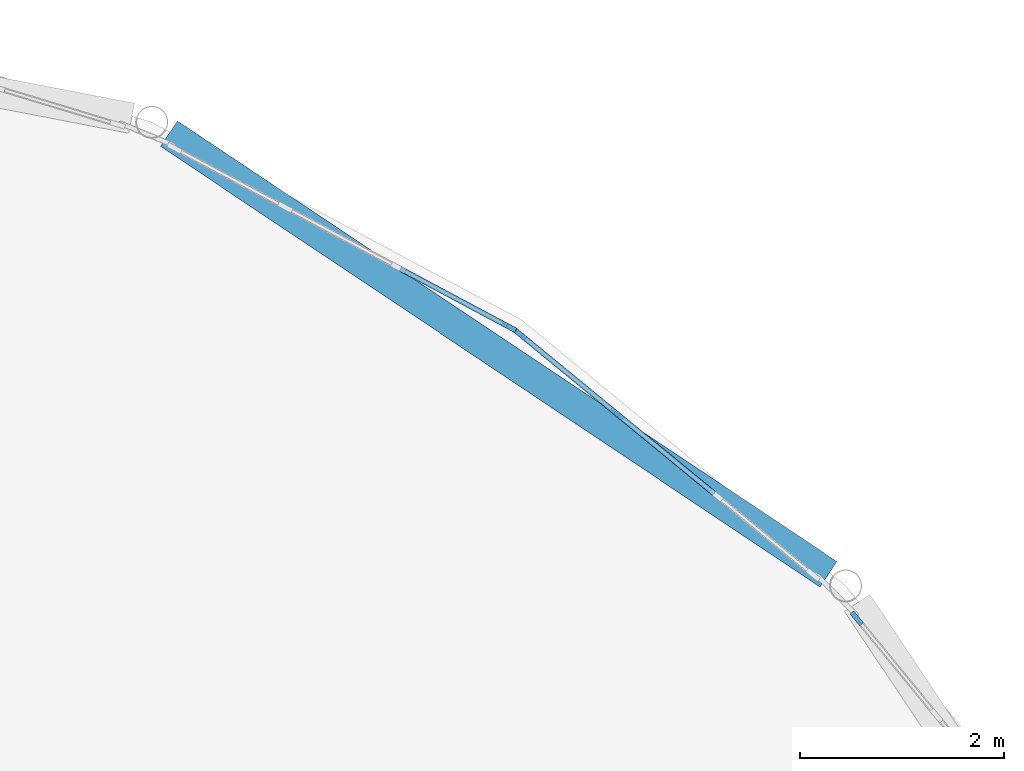
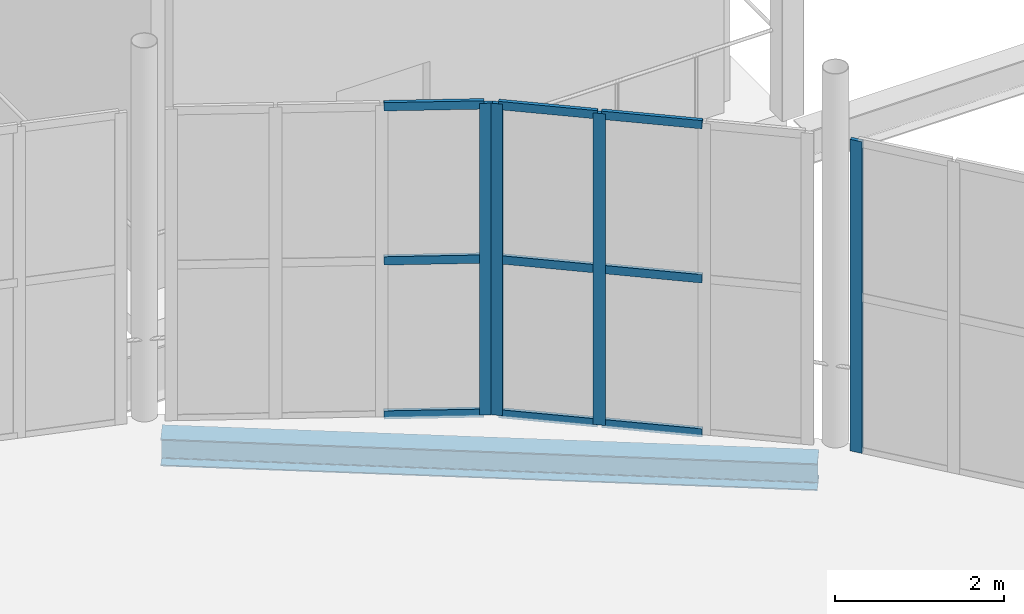
# One storey, part 68 of 112: 13 members, 1 beam, 3 elements without a shape of their own.
"""IFC4 building model written with IfcOpenShell, lengths in metres."""

from ifc_helpers import new_model, si_unit, direction, frame, origin, origin_2d, place, context, subcontext, project, spatial, rectangle, i_section, extrude, material, layer, layer_set, material_profile, profile_set, type_object, element, aggregate, save


model = new_model("IFC4")

# Units and contexts
model_context = context("Model", 3, precision=1e-05, world=origin(), true_north=direction((0.0, 1.0)))
body_context = subcontext(model_context, "Body", "Model", "MODEL_VIEW")
ifc_project = project(units=[si_unit("LENGTHUNIT", "METRE"), si_unit("AREAUNIT", "SQUARE_METRE"), si_unit("VOLUMEUNIT", "CUBIC_METRE"), si_unit("PLANEANGLEUNIT", "RADIAN"), si_unit("MASSUNIT", "GRAM", prefix="KILO")], contexts=[model_context])

# Site, building, storey
site_placement = place(None, origin())
site = spatial("IfcSite", under=ifc_project, at=site_placement, CompositionType="ELEMENT")
building_placement = place(site_placement, origin())
building = spatial("IfcBuilding", under=site, at=building_placement, Name="Yeouljin Market Hall", CompositionType="ELEMENT")
storey_placement = place(building_placement, frame((0.0, 0.0, 6.0)))
storey = spatial("IfcBuildingStorey", under=building, at=storey_placement, Name="L01", CompositionType="ELEMENT", Elevation=6.0)

# Beam
ifc_material_1 = material(Name="Steel SM355", Category="steel")
ifc_material_profile_1 = material_profile(ifc_material_1, i_section(OverallWidth=0.300048828125, OverallDepth=0.389892578125, WebThickness=0.010009765625, FlangeThickness=0.01611328125, FilletRadius=0.01806640625, at=origin_2d()), Name="H-390x300x10x16")
ifc_profile_set_1 = profile_set([ifc_material_profile_1], Name="Steel SM355")
beam_type = type_object("IfcBeamType", Name="Beam_H-390x300x10x16", PredefinedType="BEAM", material=ifc_profile_set_1)
beam_placement = place(storey_placement, frame((155.68017578125, 71.962158203125, -0.43994140625), z_axis=(-0.831466218431, 0.555575312274, 0.0), x_axis=(-0.555575312274, -0.831466218431, 0.0)))
element("IfcBeam", 1, at=beam_placement, inside=storey, type_object=beam_type, Name="Apse ring beam L01 256", PredefinedType="BEAM", context=body_context, shape_type="SweptSolid", body=[
    extrude(i_section(OverallWidth=0.300048828125, OverallDepth=0.389892578125, WebThickness=0.010009765625, FlangeThickness=0.01611328125, FilletRadius=0.01806640625, at=origin_2d()), origin(), (0.0, 0.0, 1.0), 7.787353515625),
])

# Curtain wall, member
ifc_material_2 = material(Name="Thermally Broken Aluminium", Category="aluminium")
ifc_layer = layer(ifc_material_2, 0.179931640625)
ifc_layer_set = layer_set([ifc_layer], Name="Thermally Broken Aluminium")
curtain_wall_type = type_object("IfcCurtainWallType", Name="CW_ApseCurved_System", PredefinedType="USERDEFINED", material=ifc_layer_set)
curtain_wall_1_placement = place(storey_placement, origin())
curtain_wall_1 = element("IfcCurtainWall", 2, at=curtain_wall_1_placement, inside=storey, type_object=curtain_wall_type, Name="Curtain wall CW-AP-EL01-12", ObjectType="CURTAIN WALL", PredefinedType="USERDEFINED")
ifc_material_3 = material(Name="Thermally Broken Aluminium", Category="aluminium")
ifc_material_profile_2 = material_profile(ifc_material_3, rectangle(XDim=0.048095703125, YDim=0.14990234375, at=origin_2d()), Name="CW-MULL-48x150")
ifc_profile_set_2 = profile_set([ifc_material_profile_2], Name="Thermally Broken Aluminium")
member_type_1 = type_object("IfcMemberType", Name="CWMullion_48x150", PredefinedType="MULLION", material=ifc_profile_set_2)
member_1_placement = place(storey_placement, frame((155.957275390625, 71.529541015625, 0.0), z_axis=(0.0, 0.0, 1.0), x_axis=(0.773017717982, 0.634384432096, 0.0)))
member_1 = element("IfcMember", 3, at=member_1_placement, type_object=member_type_1, Name="CW-03 mullion 1", PredefinedType="MULLION", context=body_context, shape_type="SweptSolid", body=[
    extrude(rectangle(XDim=0.048095703125, YDim=0.14990234375, at=origin_2d()), origin(), (0.0, 0.0, 1.0), 4.5),
])
aggregate(curtain_wall_1, [member_1])

# Curtain wall, members
curtain_wall_2_placement = place(storey_placement, origin())
curtain_wall_2 = element("IfcCurtainWall", 4, at=curtain_wall_2_placement, inside=storey, type_object=curtain_wall_type, Name="Curtain wall CW-AP-EL01-13", ObjectType="CURTAIN WALL", PredefinedType="USERDEFINED")
member_2_placement = place(storey_placement, frame((152.649658203125, 74.320556640625, 0.0), z_axis=(0.0, 0.0, 1.0), x_axis=(0.634384432096, 0.773017717982, 0.0)))
member_2 = element("IfcMember", 5, at=member_2_placement, type_object=member_type_1, Name="CW-03 mullion 1", PredefinedType="MULLION", context=body_context, shape_type="SweptSolid", body=[
    extrude(rectangle(XDim=0.048095703125, YDim=0.14990234375, at=origin_2d()), origin(), (0.0, 0.0, 1.0), 4.5),
])
member_3_placement = place(storey_placement, frame((153.603515625, 73.537841796875, 0.0), z_axis=(0.0, 0.0, 1.0), x_axis=(0.634384432096, 0.773017717982, 0.0)))
member_3 = element("IfcMember", 6, at=member_3_placement, type_object=member_type_1, Name="CW-03 mullion 2", PredefinedType="MULLION", context=body_context, shape_type="SweptSolid", body=[
    extrude(rectangle(XDim=0.048095703125, YDim=0.14990234375, at=origin_2d()), origin(), (0.0, 0.0, 1.0), 4.5),
])

# Curtain wall, member
curtain_wall_3_placement = place(storey_placement, origin())
curtain_wall_3 = element("IfcCurtainWall", 7, at=curtain_wall_3_placement, inside=storey, type_object=curtain_wall_type, Name="Curtain wall CW-AP-EL01-14", ObjectType="CURTAIN WALL", PredefinedType="USERDEFINED")
member_4_placement = place(storey_placement, frame((152.5439453125, 74.391357421875, 0.0), z_axis=(0.0, 0.0, 1.0), x_axis=(0.471377626598, 0.881931478712, 0.0)))
member_4 = element("IfcMember", 8, at=member_4_placement, type_object=member_type_1, Name="CW-03 mullion 4", PredefinedType="MULLION", context=body_context, shape_type="SweptSolid", body=[
    extrude(rectangle(XDim=0.048095703125, YDim=0.14990234375, at=origin_2d()), origin(), (0.0, 0.0, 1.0), 4.5),
])

# Member
ifc_material_4 = material(Name="Thermally Broken Aluminium", Category="aluminium")
ifc_material_profile_3 = material_profile(ifc_material_4, rectangle(XDim=0.048095703125, YDim=0.1201171875, at=origin_2d()), Name="CW-TRAN-48x120")
ifc_profile_set_3 = profile_set([ifc_material_profile_3], Name="Thermally Broken Aluminium")
member_type_2 = type_object("IfcMemberType", Name="CWTransom_48x120", PredefinedType="USERDEFINED", material=ifc_profile_set_3)
member_5_placement = place(storey_placement, frame((152.668212890625, 74.30517578125, 0.02392578125), z_axis=(0.773075959133, -0.634313456748, 0.0), x_axis=(0.634313456748, 0.773075959133, 0.0)))
member_5 = element("IfcMember", 9, at=member_5_placement, type_object=member_type_2, Name="CW-03 transom 1.1", ObjectType="TRANSOM", PredefinedType="USERDEFINED", context=body_context, shape_type="SweptSolid", body=[
    extrude(rectangle(XDim=0.048095703125, YDim=0.1201171875, at=origin_2d()), origin(), (0.0, 0.0, 1.0), 1.185791015625),
])

member_6_placement = place(storey_placement, frame((152.668212890625, 74.30517578125, 2.25), z_axis=(0.773075959133, -0.634313456748, 0.0), x_axis=(0.634313456748, 0.773075959133, 0.0)))
member_6 = element("IfcMember", 10, at=member_6_placement, type_object=member_type_2, Name="CW-03 transom 1.2", ObjectType="TRANSOM", PredefinedType="USERDEFINED", context=body_context, shape_type="SweptSolid", body=[
    extrude(rectangle(XDim=0.048095703125, YDim=0.1201171875, at=origin_2d()), origin(), (0.0, 0.0, 1.0), 1.185791015625),
])

member_7_placement = place(storey_placement, frame((152.668212890625, 74.30517578125, 4.47607421875), z_axis=(0.773075959133, -0.634313456748, 0.0), x_axis=(0.634313456748, 0.773075959133, 0.0)))
member_7 = element("IfcMember", 11, at=member_7_placement, type_object=member_type_2, Name="CW-03 transom 1.3", ObjectType="TRANSOM", PredefinedType="USERDEFINED", context=body_context, shape_type="SweptSolid", body=[
    extrude(rectangle(XDim=0.048095703125, YDim=0.1201171875, at=origin_2d()), origin(), (0.0, 0.0, 1.0), 1.185791015625),
])

member_8_placement = place(storey_placement, frame((153.6220703125, 73.5224609375, 0.02392578125), z_axis=(0.773030225846, -0.634369190557, 0.0), x_axis=(0.634369190557, 0.773030225846, 0.0)))
member_8 = element("IfcMember", 12, at=member_8_placement, type_object=member_type_2, Name="CW-03 transom 2.1", ObjectType="TRANSOM", PredefinedType="USERDEFINED", context=body_context, shape_type="SweptSolid", body=[
    extrude(rectangle(XDim=0.048095703125, YDim=0.1201171875, at=origin_2d()), origin(), (0.0, 0.0, 1.0), 1.209716796875),
])

member_9_placement = place(storey_placement, frame((153.6220703125, 73.5224609375, 2.25), z_axis=(0.773030225846, -0.634369190557, 0.0), x_axis=(0.634369190557, 0.773030225846, 0.0)))
member_9 = element("IfcMember", 13, at=member_9_placement, type_object=member_type_2, Name="CW-03 transom 2.2", ObjectType="TRANSOM", PredefinedType="USERDEFINED", context=body_context, shape_type="SweptSolid", body=[
    extrude(rectangle(XDim=0.048095703125, YDim=0.1201171875, at=origin_2d()), origin(), (0.0, 0.0, 1.0), 1.209716796875),
])

member_10_placement = place(storey_placement, frame((153.6220703125, 73.5224609375, 4.47607421875), z_axis=(0.773030225846, -0.634369190557, 0.0), x_axis=(0.634369190557, 0.773030225846, 0.0)))
member_10 = element("IfcMember", 14, at=member_10_placement, type_object=member_type_2, Name="CW-03 transom 2.3", ObjectType="TRANSOM", PredefinedType="USERDEFINED", context=body_context, shape_type="SweptSolid", body=[
    extrude(rectangle(XDim=0.048095703125, YDim=0.1201171875, at=origin_2d()), origin(), (0.0, 0.0, 1.0), 1.209716796875),
])

aggregate(curtain_wall_2, [member_2, member_3, member_5, member_6, member_7, member_8, member_9, member_10])

member_11_placement = place(storey_placement, frame((151.47705078125, 74.961669921875, 0.02392578125), z_axis=(0.881862296401, -0.471507041503, 0.0), x_axis=(0.471507041503, 0.881862296401, 0.0)))
member_11 = element("IfcMember", 15, at=member_11_placement, type_object=member_type_2, Name="CW-03 transom 3.1", ObjectType="TRANSOM", PredefinedType="USERDEFINED", context=body_context, shape_type="SweptSolid", body=[
    extrude(rectangle(XDim=0.048095703125, YDim=0.1201171875, at=origin_2d()), origin(), (0.0, 0.0, 1.0), 1.185791015625),
])

member_12_placement = place(storey_placement, frame((151.47705078125, 74.961669921875, 2.25), z_axis=(0.881862296401, -0.471507041503, 0.0), x_axis=(0.471507041503, 0.881862296401, 0.0)))
member_12 = element("IfcMember", 16, at=member_12_placement, type_object=member_type_2, Name="CW-03 transom 3.2", ObjectType="TRANSOM", PredefinedType="USERDEFINED", context=body_context, shape_type="SweptSolid", body=[
    extrude(rectangle(XDim=0.048095703125, YDim=0.1201171875, at=origin_2d()), origin(), (0.0, 0.0, 1.0), 1.185791015625),
])

member_13_placement = place(storey_placement, frame((151.47705078125, 74.961669921875, 4.47607421875), z_axis=(0.881862296401, -0.471507041503, 0.0), x_axis=(0.471507041503, 0.881862296401, 0.0)))
member_13 = element("IfcMember", 17, at=member_13_placement, type_object=member_type_2, Name="CW-03 transom 3.3", ObjectType="TRANSOM", PredefinedType="USERDEFINED", context=body_context, shape_type="SweptSolid", body=[
    extrude(rectangle(XDim=0.048095703125, YDim=0.1201171875, at=origin_2d()), origin(), (0.0, 0.0, 1.0), 1.185791015625),
])

aggregate(curtain_wall_3, [member_4, member_11, member_12, member_13])

save(model, "model.ifc")
